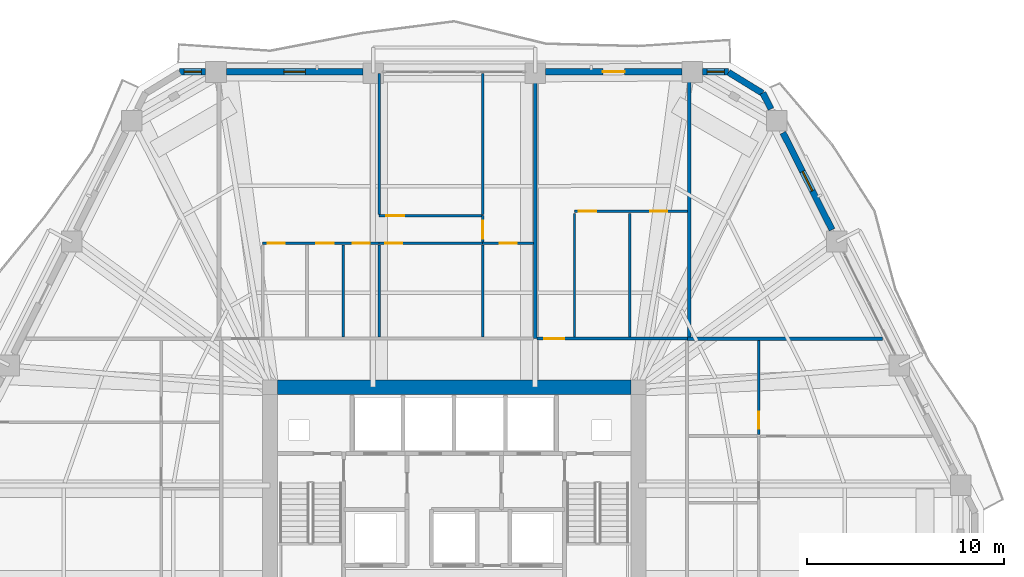
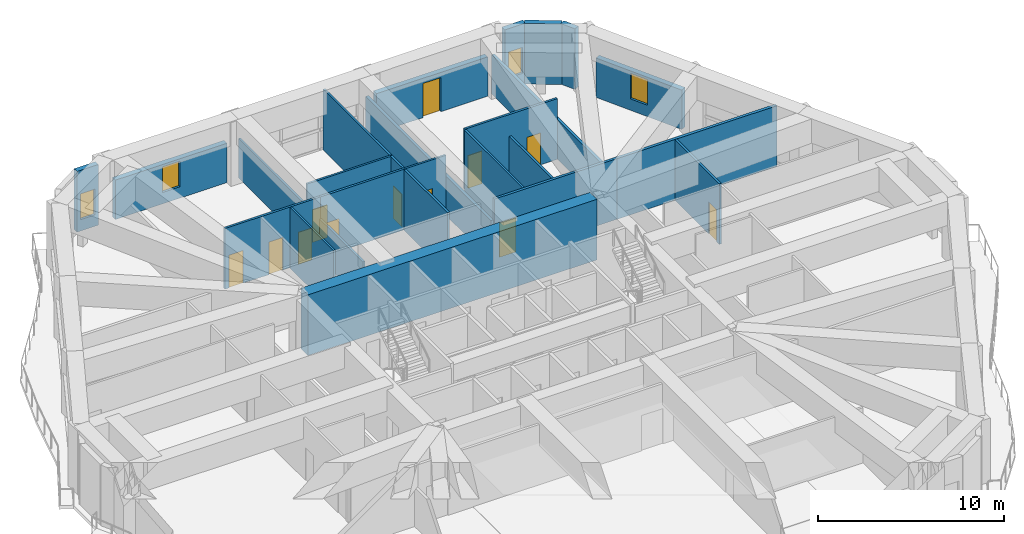
# One storey, part 17 of 23: 26 walls, 12 doors, 4 windows, 16 openings.
"""IFC4 building model written with IfcOpenShell, lengths in metres."""

from ifc_helpers import new_model, si_unit, direction, frame, frame_2d, origin, place, context, subcontext, project, spatial, rectangle, extrude, material, layer, layer_set, type_object, element, fill, save


model = new_model("IFC4")

# Units and contexts
model_context = context("Model", 3, precision=1e-05, world=origin(), true_north=direction((0.0, 1.0)))
body_context = subcontext(model_context, "Body", "Model", "MODEL_VIEW")
ifc_project = project(units=[si_unit("LENGTHUNIT", "METRE"), si_unit("AREAUNIT", "SQUARE_METRE"), si_unit("VOLUMEUNIT", "CUBIC_METRE"), si_unit("PLANEANGLEUNIT", "RADIAN"), si_unit("MASSUNIT", "GRAM", prefix="KILO")], contexts=[model_context])

# Site, building, storey
site_placement = place(None, origin())
site = spatial("IfcSite", under=ifc_project, at=site_placement, CompositionType="ELEMENT")
building_placement = place(site_placement, origin())
building = spatial("IfcBuilding", under=site, at=building_placement, Name="Cinnabar Lancet Tower", CompositionType="ELEMENT")
storey_placement = place(building_placement, frame((0.0, 0.0, 94.199951171875)))
storey = spatial("IfcBuildingStorey", under=building, at=storey_placement, Name="L24", CompositionType="ELEMENT", Elevation=94.199951171875)

# Wall, opening, door
ifc_material_1 = material(Name="Acoustic twin-stud gypsum partition", Category="gypsum")
ifc_layer_1 = layer(ifc_material_1, 0.159912109375)
ifc_layer_set_1 = layer_set([ifc_layer_1], Name="Acoustic twin-stud gypsum partition")
wall_type_1 = type_object("IfcWallType", Name="ARC-WL-CORR-160", PredefinedType="PARTITIONING", material=ifc_layer_set_1)
wall_1_placement = place(storey_placement, frame((36.616943359375, 35.75, 0.0), z_axis=(0.0, 0.0, 1.0), x_axis=(1.0, 0.0, 0.0)))
wall_1 = element("IfcWall", 1, at=wall_1_placement, inside=storey, type_object=wall_type_1, Name="L24 Unit N02 Corridor Wall", PredefinedType="PARTITIONING", context=body_context, shape_type="SweptSolid", body=[
    extrude(rectangle(XDim=7.655029296875, YDim=0.159912109375, at=frame_2d((3.82763671875, 0.0))), origin(), (0.0, 0.0, 1.0), 3.989990234375),
])
opening_1_placement = place(wall_1_placement, frame((0.35498046875, 0.0, 0.0)))
opening_1 = element("IfcOpeningElement", 2, at=opening_1_placement, cuts=wall_1, Name="Opening UD-01", PredefinedType="OPENING", context=body_context, shape_type="SweptSolid", body=[
    extrude(rectangle(XDim=1.02001953125, YDim=2.25, at=frame_2d((0.510009765625, 1.125))), frame((0.0, 0.08984375, 0.0), z_axis=(0.0, -1.0, 0.0), x_axis=(1.0, 0.0, 0.0)), (0.0, 0.0, 1.0), 0.179931640625),
])
ifc_material_2 = material(Name="Solid timber fire-rated apartment entrance door", Category="wood")
door_type_1 = type_object("IfcDoorType", Name="ARC-DR-UNIT", OperationType="NOTDEFINED", PredefinedType="DOOR", material=ifc_material_2)
door_1_placement = place(opening_1_placement, origin())
door_1 = element("IfcDoor", 3, at=door_1_placement, inside=storey, type_object=door_type_1, Name="DR-L24-N02-ENT", OperationType="SINGLE_SWING_RIGHT", OverallHeight=2.25, OverallWidth=1.02001953125, PredefinedType="DOOR", context=body_context, shape_type="SweptSolid", body=[
    extrude(rectangle(XDim=1.02001953125, YDim=2.25, at=frame_2d((0.510009765625, 1.125))), frame((0.0, 0.02490234375, 0.0), z_axis=(0.0, -1.0, 0.0), x_axis=(1.0, 0.0, 0.0)), (0.0, 0.0, 1.0), 0.050048828125),
])
fill(opening_1, door_1)

# Walls
ifc_material_3 = material(Name="Fire-rated twin-frame acoustic drywall", Category="gypsum")
ifc_layer_2 = layer(ifc_material_3, 0.179931640625)
ifc_layer_set_2 = layer_set([ifc_layer_2], Name="Fire-rated twin-frame acoustic drywall")
wall_type_2 = type_object("IfcWallType", Name="ARC-WL-PARTY-180", PredefinedType="PARTITIONING", material=ifc_layer_set_2)
for number, where, z_axis, x_axis, name in (
    (4, (36.52197265625, 35.75, 0.0), (0.0, 0.0, 1.0), (0.0, 1.0, 0.0), "PW-L24-NPTY-365"),
    (5, (44.366943359375, 35.75, 0.0), (0.0, 0.0, 1.0), (0.0, 1.0, 0.0), "PW-L24-NPTY-444"),
):
    element("IfcWall", number, at=place(storey_placement, frame(where, z_axis=z_axis, x_axis=x_axis)), inside=storey, type_object=wall_type_2, Name=name, PredefinedType="PARTITIONING", context=body_context, shape_type="SweptSolid", body=[
        extrude(rectangle(XDim=13.485107421875, YDim=0.179931640625, at=frame_2d((6.74267578125, 0.0))), origin(), (0.0, 0.0, 1.0), 2.590087890625),
    ])
wall_2_placement = place(storey_placement, frame((44.25, 35.75, 0.0), z_axis=(0.0, 0.0, 1.0), x_axis=(1.0, 0.0, 0.0)))
element("IfcWall", 6, at=wall_2_placement, inside=storey, type_object=wall_type_2, Name="PW-L24-ENB", PredefinedType="PARTITIONING", context=body_context, shape_type="SweptSolid", body=[
    extrude(rectangle(XDim=9.947021484375, YDim=0.179931640625, at=frame_2d((4.9736328125, 0.0))), origin(), (0.0, 0.0, 1.0), 3.989990234375),
])

# Wall, opening, door
ifc_material_4 = material(Name="Gypsum plasterboard stud partition", Category="gypsum")
ifc_layer_3 = layer(ifc_material_4, 0.125)
ifc_layer_set_3 = layer_set([ifc_layer_3], Name="Gypsum plasterboard stud partition")
wall_type_3 = type_object("IfcWallType", Name="ARC-WL-UNIT-125", PredefinedType="PARTITIONING", material=ifc_layer_set_3)
wall_3_placement = place(storey_placement, frame((33.85009765625, 40.60498046875, 0.0), z_axis=(0.0, 0.0, 1.0), x_axis=(1.0, 0.0, 0.0)))
wall_3 = element("IfcWall", 7, at=wall_3_placement, inside=storey, type_object=wall_type_3, Name="UW-L24-N01-SP2", PredefinedType="PARTITIONING", context=body_context, shape_type="SweptSolid", body=[
    extrude(rectangle(XDim=2.576904296875, YDim=0.125, at=frame_2d((1.28857421875, 0.0))), origin(), (0.0, 0.0, 1.0), 3.989990234375),
])
opening_2_placement = place(wall_3_placement, frame((0.863037109375, 0.0, 0.0)))
opening_2 = element("IfcOpeningElement", 8, at=opening_2_placement, cuts=wall_3, Name="Opening BD-01", PredefinedType="OPENING", context=body_context, shape_type="SweptSolid", body=[
    extrude(rectangle(XDim=0.860107421875, YDim=2.10009765625, at=frame_2d((0.43017578125, 1.050048828125))), frame((0.0, 0.072509765625, 0.0), z_axis=(0.0, -1.0, 0.0), x_axis=(1.0, 0.0, 0.0)), (0.0, 0.0, 1.0), 0.14501953125),
])
ifc_material_5 = material(Name="Moisture-resistant timber bathroom door", Category="wood")
door_type_2 = type_object("IfcDoorType", Name="ARC-DR-BATH", OperationType="NOTDEFINED", PredefinedType="DOOR", material=ifc_material_5)
door_2_placement = place(opening_2_placement, origin())
door_2 = element("IfcDoor", 9, at=door_2_placement, inside=storey, type_object=door_type_2, Name="DR-L24-N01-ENS", OperationType="SINGLE_SWING_LEFT", OverallHeight=2.10009765625, OverallWidth=0.860107421875, PredefinedType="DOOR", context=body_context, shape_type="SweptSolid", body=[
    extrude(rectangle(XDim=0.860107421875, YDim=2.10009765625, at=frame_2d((0.43017578125, 1.050048828125))), frame((0.0, 0.02490234375, 0.0), z_axis=(0.0, -1.0, 0.0), x_axis=(1.0, 0.0, 0.0)), (0.0, 0.0, 1.0), 0.050048828125),
])
fill(opening_2, door_2)

# Walls
wall_4_placement = place(storey_placement, frame((26.7451171875, 35.8349609375, 0.0), z_axis=(0.0, 0.0, 1.0), x_axis=(0.0, 1.0, 0.0)))
element("IfcWall", 10, at=wall_4_placement, inside=storey, type_object=wall_type_3, Name="UW-L24-N01-STD", PredefinedType="PARTITIONING", context=body_context, shape_type="SweptSolid", body=[
    extrude(rectangle(XDim=4.6650390625, YDim=0.125, at=frame_2d((2.33251953125, 0.0))), origin(), (0.0, 0.0, 1.0), 3.989990234375),
])
wall_5_placement = place(storey_placement, frame((28.5849609375, 42.070068359375, 0.0), z_axis=(0.0, 0.0, 1.0), x_axis=(0.0, 1.0, 0.0)))
element("IfcWall", 11, at=wall_5_placement, inside=storey, type_object=wall_type_3, Name="UW-L24-N01-BD2W", PredefinedType="PARTITIONING", context=body_context, shape_type="SweptSolid", body=[
    extrude(rectangle(XDim=7.1650390625, YDim=0.125, at=frame_2d((3.58251953125, 0.0))), origin(), (0.0, 0.0, 1.0), 2.590087890625),
])

# Wall, opening, door
wall_6_placement = place(storey_placement, frame((28.5849609375, 42.0048828125, 0.0), z_axis=(0.0, 0.0, 1.0), x_axis=(1.0, 0.0, 0.0)))
wall_6 = element("IfcWall", 12, at=wall_6_placement, inside=storey, type_object=wall_type_3, Name="UW-L24-N01-HLN", PredefinedType="PARTITIONING", context=body_context, shape_type="SweptSolid", body=[
    extrude(rectangle(XDim=5.26513671875, YDim=0.125, at=frame_2d((2.632568359375, 0.0))), origin(), (0.0, 0.0, 1.0), 3.989990234375),
])
opening_3_placement = place(wall_6_placement, frame((0.35009765625, 0.0, 0.0)))
opening_3 = element("IfcOpeningElement", 13, at=opening_3_placement, cuts=wall_6, Name="Opening RD-01", PredefinedType="OPENING", context=body_context, shape_type="SweptSolid", body=[
    extrude(rectangle(XDim=0.919921875, YDim=2.14990234375, at=frame_2d((0.4599609375, 1.074951171875))), frame((0.0, 0.072509765625, 0.0), z_axis=(0.0, -1.0, 0.0), x_axis=(1.0, 0.0, 0.0)), (0.0, 0.0, 1.0), 0.14501953125),
])
ifc_material_6 = material(Name="Engineered timber bedroom door", Category="wood")
door_type_3 = type_object("IfcDoorType", Name="ARC-DR-ROOM", OperationType="NOTDEFINED", PredefinedType="DOOR", material=ifc_material_6)
door_3_placement = place(opening_3_placement, origin())
door_3 = element("IfcDoor", 14, at=door_3_placement, inside=storey, type_object=door_type_3, Name="DR-L24-N01-BD2", OperationType="SINGLE_SWING_RIGHT", OverallHeight=2.14990234375, OverallWidth=0.919921875, PredefinedType="DOOR", context=body_context, shape_type="SweptSolid", body=[
    extrude(rectangle(XDim=0.919921875, YDim=2.14990234375, at=frame_2d((0.4599609375, 1.074951171875))), frame((0.0, 0.02490234375, 0.0), z_axis=(0.0, -1.0, 0.0), x_axis=(1.0, 0.0, 0.0)), (0.0, 0.0, 1.0), 0.050048828125),
])
fill(opening_3, door_3)

wall_7_placement = place(storey_placement, frame((33.85009765625, 40.675048828125, 0.0), z_axis=(0.0, 0.0, 1.0), x_axis=(0.0, 1.0, 0.0)))
wall_7 = element("IfcWall", 15, at=wall_7_placement, inside=storey, type_object=wall_type_3, Name="UW-L24-N01-MBE", PredefinedType="PARTITIONING", context=body_context, shape_type="SweptSolid", body=[
    extrude(rectangle(XDim=1.329833984375, YDim=0.125, at=frame_2d((0.6650390625, 0.0))), origin(), (0.0, 0.0, 1.0), 3.989990234375),
])
opening_4_placement = place(wall_7_placement, frame((0.159912109375, 0.0, 0.0)))
opening_4 = element("IfcOpeningElement", 16, at=opening_4_placement, cuts=wall_7, Name="Opening RD-01", PredefinedType="OPENING", context=body_context, shape_type="SweptSolid", body=[
    extrude(rectangle(XDim=0.919921875, YDim=2.14990234375, at=frame_2d((0.4599609375, 1.074951171875))), frame((0.0, 0.072509765625, 0.0), z_axis=(0.0, -1.0, 0.0), x_axis=(1.0, 0.0, 0.0)), (0.0, 0.0, 1.0), 0.14501953125),
])
door_4_placement = place(opening_4_placement, origin())
door_4 = element("IfcDoor", 17, at=door_4_placement, inside=storey, type_object=door_type_3, Name="DR-L24-N01-MBD", OperationType="SINGLE_SWING_RIGHT", OverallHeight=2.14990234375, OverallWidth=0.919921875, PredefinedType="DOOR", context=body_context, shape_type="SweptSolid", body=[
    extrude(rectangle(XDim=0.919921875, YDim=2.14990234375, at=frame_2d((0.4599609375, 1.074951171875))), frame((0.0, 0.02490234375, 0.0), z_axis=(0.0, -1.0, 0.0), x_axis=(1.0, 0.0, 0.0)), (0.0, 0.0, 1.0), 0.050048828125),
])
fill(opening_4, door_4)

# Walls
wall_8_placement = place(storey_placement, frame((33.85009765625, 42.070068359375, 0.0), z_axis=(0.0, 0.0, 1.0), x_axis=(0.0, 1.0, 0.0)))
element("IfcWall", 18, at=wall_8_placement, inside=storey, type_object=wall_type_3, Name="UW-L24-N01-MB2W", PredefinedType="PARTITIONING", context=body_context, shape_type="SweptSolid", body=[
    extrude(rectangle(XDim=7.1650390625, YDim=0.125, at=frame_2d((3.58251953125, 0.0))), origin(), (0.0, 0.0, 1.0), 3.989990234375),
])
wall_9_placement = place(storey_placement, frame((38.52197265625, 35.8349609375, 0.0), z_axis=(0.0, 0.0, 1.0), x_axis=(0.0, 1.0, 0.0)))
element("IfcWall", 19, at=wall_9_placement, inside=storey, type_object=wall_type_3, Name="UW-L24-N02-FOYE", PredefinedType="PARTITIONING", context=body_context, shape_type="SweptSolid", body=[
    extrude(rectangle(XDim=6.282958984375, YDim=0.125, at=frame_2d((3.1416015625, 0.0))), origin(), (0.0, 0.0, 1.0), 3.989990234375),
])

# Wall, openings, doors
ifc_material_7 = material(Name="Moisture-resistant cement-board plumbing wall", Category="masonry")
ifc_layer_4 = layer(ifc_material_7, 0.139892578125)
ifc_layer_set_4 = layer_set([ifc_layer_4], Name="Moisture-resistant cement-board plumbing wall")
wall_type_4 = type_object("IfcWallType", Name="ARC-WL-WET-140", PredefinedType="PLUMBINGWALL", material=ifc_layer_set_4)
wall_10_placement = place(storey_placement, frame((22.64990234375, 40.60498046875, 0.0), z_axis=(0.0, 0.0, 1.0), x_axis=(1.0, 0.0, 0.0)))
wall_10 = element("IfcWall", 20, at=wall_10_placement, inside=storey, type_object=wall_type_4, Name="UW-L24-N01-SPL", PredefinedType="PLUMBINGWALL", context=body_context, shape_type="SweptSolid", body=[
    extrude(rectangle(XDim=5.93505859375, YDim=0.139892578125, at=frame_2d((2.967529296875, 0.0))), origin(), (0.0, 0.0, 1.0), 3.989990234375),
])
opening_5_placement = place(wall_10_placement, frame((4.590087890625, 0.0, 0.0)))
opening_5 = element("IfcOpeningElement", 21, at=opening_5_placement, cuts=wall_10, Name="Opening BD-01", PredefinedType="OPENING", context=body_context, shape_type="SweptSolid", body=[
    extrude(rectangle(XDim=0.860107421875, YDim=2.10009765625, at=frame_2d((0.43017578125, 1.050048828125))), frame((0.0, 0.079833984375, 0.0), z_axis=(0.0, -1.0, 0.0), x_axis=(1.0, 0.0, 0.0)), (0.0, 0.0, 1.0), 0.159912109375),
])
opening_6_placement = place(wall_10_placement, frame((0.260009765625, 0.0, 0.0)))
opening_6 = element("IfcOpeningElement", 22, at=opening_6_placement, cuts=wall_10, Name="Opening RD-02", PredefinedType="OPENING", context=body_context, shape_type="SweptSolid", body=[
    extrude(rectangle(XDim=0.8798828125, YDim=2.14990234375, at=frame_2d((0.43994140625, 1.074951171875))), frame((0.0, 0.079833984375, 0.0), z_axis=(0.0, -1.0, 0.0), x_axis=(1.0, 0.0, 0.0)), (0.0, 0.0, 1.0), 0.159912109375),
])
opening_7_placement = place(wall_10_placement, frame((2.735107421875, 0.0, 0.0)))
opening_7 = element("IfcOpeningElement", 23, at=opening_7_placement, cuts=wall_10, Name="Opening RD-02", PredefinedType="OPENING", context=body_context, shape_type="SweptSolid", body=[
    extrude(rectangle(XDim=0.8798828125, YDim=2.14990234375, at=frame_2d((0.43994140625, 1.074951171875))), frame((0.0, 0.079833984375, 0.0), z_axis=(0.0, -1.0, 0.0), x_axis=(1.0, 0.0, 0.0)), (0.0, 0.0, 1.0), 0.159912109375),
])
door_5_placement = place(opening_5_placement, origin())
door_5 = element("IfcDoor", 24, at=door_5_placement, inside=storey, type_object=door_type_2, Name="DR-L24-N01-BTH", OperationType="SINGLE_SWING_RIGHT", OverallHeight=2.10009765625, OverallWidth=0.860107421875, PredefinedType="DOOR", context=body_context, shape_type="SweptSolid", body=[
    extrude(rectangle(XDim=0.860107421875, YDim=2.10009765625, at=frame_2d((0.43017578125, 1.050048828125))), frame((0.0, 0.02490234375, 0.0), z_axis=(0.0, -1.0, 0.0), x_axis=(1.0, 0.0, 0.0)), (0.0, 0.0, 1.0), 0.050048828125),
])
fill(opening_5, door_5)
ifc_material_8 = material(Name="Engineered timber study door", Category="wood")
door_type_4 = type_object("IfcDoorType", Name="ARC-DR-STUDY", OperationType="NOTDEFINED", PredefinedType="DOOR", material=ifc_material_8)
door_6_placement = place(opening_6_placement, origin())
door_6 = element("IfcDoor", 25, at=door_6_placement, inside=storey, type_object=door_type_4, Name="DR-L24-N01-KIT", OperationType="SINGLE_SWING_RIGHT", OverallHeight=2.14990234375, OverallWidth=0.8798828125, PredefinedType="DOOR", context=body_context, shape_type="SweptSolid", body=[
    extrude(rectangle(XDim=0.8798828125, YDim=2.14990234375, at=frame_2d((0.43994140625, 1.074951171875))), frame((0.0, 0.02490234375, 0.0), z_axis=(0.0, -1.0, 0.0), x_axis=(1.0, 0.0, 0.0)), (0.0, 0.0, 1.0), 0.050048828125),
])
fill(opening_6, door_6)
door_7_placement = place(opening_7_placement, origin())
door_7 = element("IfcDoor", 26, at=door_7_placement, inside=storey, type_object=door_type_4, Name="DR-L24-N01-STD", OperationType="SINGLE_SWING_LEFT", OverallHeight=2.14990234375, OverallWidth=0.8798828125, PredefinedType="DOOR", context=body_context, shape_type="SweptSolid", body=[
    extrude(rectangle(XDim=0.8798828125, YDim=2.14990234375, at=frame_2d((0.43994140625, 1.074951171875))), frame((0.0, 0.02490234375, 0.0), z_axis=(0.0, -1.0, 0.0), x_axis=(1.0, 0.0, 0.0)), (0.0, 0.0, 1.0), 0.050048828125),
])
fill(opening_7, door_7)

# Wall, opening, door
wall_11_placement = place(storey_placement, frame((28.5849609375, 40.60498046875, 0.0), z_axis=(0.0, 0.0, 1.0), x_axis=(1.0, 0.0, 0.0)))
wall_11 = element("IfcWall", 27, at=wall_11_placement, inside=storey, type_object=wall_type_4, Name="UW-L24-N01-SPM", PredefinedType="PLUMBINGWALL", context=body_context, shape_type="SweptSolid", body=[
    extrude(rectangle(XDim=5.26513671875, YDim=0.139892578125, at=frame_2d((2.632568359375, 0.0))), origin(), (0.0, 0.0, 1.0), 3.989990234375),
])
opening_8_placement = place(wall_11_placement, frame((0.300048828125, 0.0, 0.0)))
opening_8 = element("IfcOpeningElement", 28, at=opening_8_placement, cuts=wall_11, Name="Opening RD-02", PredefinedType="OPENING", context=body_context, shape_type="SweptSolid", body=[
    extrude(rectangle(XDim=0.8798828125, YDim=2.14990234375, at=frame_2d((0.43994140625, 1.074951171875))), frame((0.0, 0.079833984375, 0.0), z_axis=(0.0, -1.0, 0.0), x_axis=(1.0, 0.0, 0.0)), (0.0, 0.0, 1.0), 0.159912109375),
])
door_8_placement = place(opening_8_placement, origin())
door_8 = element("IfcDoor", 29, at=door_8_placement, inside=storey, type_object=door_type_4, Name="DR-L24-N01-UTL", OperationType="SINGLE_SWING_LEFT", OverallHeight=2.14990234375, OverallWidth=0.8798828125, PredefinedType="DOOR", context=body_context, shape_type="SweptSolid", body=[
    extrude(rectangle(XDim=0.8798828125, YDim=2.14990234375, at=frame_2d((0.43994140625, 1.074951171875))), frame((0.0, 0.02490234375, 0.0), z_axis=(0.0, -1.0, 0.0), x_axis=(1.0, 0.0, 0.0)), (0.0, 0.0, 1.0), 0.050048828125),
])
fill(opening_8, door_8)

# Walls
wall_12_placement = place(storey_placement, frame((28.5849609375, 35.8349609375, 0.0), z_axis=(0.0, 0.0, 1.0), x_axis=(0.0, 1.0, 0.0)))
element("IfcWall", 30, at=wall_12_placement, inside=storey, type_object=wall_type_4, Name="UW-L24-N01-ENSW", PredefinedType="PLUMBINGWALL", context=body_context, shape_type="SweptSolid", body=[
    extrude(rectangle(XDim=4.6650390625, YDim=0.139892578125, at=frame_2d((2.33251953125, 0.0))), origin(), (0.0, 0.0, 1.0), 2.590087890625),
])
wall_13_placement = place(storey_placement, frame((33.85009765625, 35.8349609375, 0.0), z_axis=(0.0, 0.0, 1.0), x_axis=(0.0, 1.0, 0.0)))
element("IfcWall", 31, at=wall_13_placement, inside=storey, type_object=wall_type_4, Name="UW-L24-N01-ENSE", PredefinedType="PLUMBINGWALL", context=body_context, shape_type="SweptSolid", body=[
    extrude(rectangle(XDim=4.6650390625, YDim=0.139892578125, at=frame_2d((2.33251953125, 0.0))), origin(), (0.0, 0.0, 1.0), 3.989990234375),
])

# Wall, openings, doors
wall_14_placement = place(storey_placement, frame((38.52197265625, 42.222900390625, 0.0), z_axis=(0.0, 0.0, 1.0), x_axis=(1.0, 0.0, 0.0)))
wall_14 = element("IfcWall", 32, at=wall_14_placement, inside=storey, type_object=wall_type_4, Name="UW-L24-N02-SPL", PredefinedType="PLUMBINGWALL", context=body_context, shape_type="SweptSolid", body=[
    extrude(rectangle(XDim=5.75, YDim=0.139892578125, at=frame_2d((2.875, 0.0))), origin(), (0.0, 0.0, 1.0), 3.989990234375),
])
opening_9_placement = place(wall_14_placement, frame((3.85302734375, 0.0, 0.0)))
opening_9 = element("IfcOpeningElement", 33, at=opening_9_placement, cuts=wall_14, Name="Opening BD-01", PredefinedType="OPENING", context=body_context, shape_type="SweptSolid", body=[
    extrude(rectangle(XDim=0.860107421875, YDim=2.10009765625, at=frame_2d((0.43017578125, 1.050048828125))), frame((0.0, 0.079833984375, 0.0), z_axis=(0.0, -1.0, 0.0), x_axis=(1.0, 0.0, 0.0)), (0.0, 0.0, 1.0), 0.159912109375),
])
opening_10_placement = place(wall_14_placement, frame((0.219970703125, 0.0, 0.0)))
opening_10 = element("IfcOpeningElement", 34, at=opening_10_placement, cuts=wall_14, Name="Opening RD-02", PredefinedType="OPENING", context=body_context, shape_type="SweptSolid", body=[
    extrude(rectangle(XDim=0.8798828125, YDim=2.14990234375, at=frame_2d((0.43994140625, 1.074951171875))), frame((0.0, 0.079833984375, 0.0), z_axis=(0.0, -1.0, 0.0), x_axis=(1.0, 0.0, 0.0)), (0.0, 0.0, 1.0), 0.159912109375),
])
door_9_placement = place(opening_9_placement, origin())
door_9 = element("IfcDoor", 35, at=door_9_placement, inside=storey, type_object=door_type_2, Name="DR-L24-N02-BTH", OperationType="SINGLE_SWING_RIGHT", OverallHeight=2.10009765625, OverallWidth=0.860107421875, PredefinedType="DOOR", context=body_context, shape_type="SweptSolid", body=[
    extrude(rectangle(XDim=0.860107421875, YDim=2.10009765625, at=frame_2d((0.43017578125, 1.050048828125))), frame((0.0, 0.02490234375, 0.0), z_axis=(0.0, -1.0, 0.0), x_axis=(1.0, 0.0, 0.0)), (0.0, 0.0, 1.0), 0.050048828125),
])
fill(opening_9, door_9)
door_10_placement = place(opening_10_placement, origin())
door_10 = element("IfcDoor", 36, at=door_10_placement, inside=storey, type_object=door_type_4, Name="DR-L24-N02-KIT", OperationType="SINGLE_SWING_LEFT", OverallHeight=2.14990234375, OverallWidth=0.8798828125, PredefinedType="DOOR", context=body_context, shape_type="SweptSolid", body=[
    extrude(rectangle(XDim=0.8798828125, YDim=2.14990234375, at=frame_2d((0.43994140625, 1.074951171875))), frame((0.0, 0.02490234375, 0.0), z_axis=(0.0, -1.0, 0.0), x_axis=(1.0, 0.0, 0.0)), (0.0, 0.0, 1.0), 0.050048828125),
])
fill(opening_10, door_10)

# Wall
wall_15_placement = place(storey_placement, frame((41.327880859375, 35.8349609375, 0.0), z_axis=(0.0, 0.0, 1.0), x_axis=(0.0, 1.0, 0.0)))
element("IfcWall", 37, at=wall_15_placement, inside=storey, type_object=wall_type_4, Name="UW-L24-N02-KDV", PredefinedType="PLUMBINGWALL", context=body_context, shape_type="SweptSolid", body=[
    extrude(rectangle(XDim=6.282958984375, YDim=0.139892578125, at=frame_2d((3.1416015625, 0.0))), origin(), (0.0, 0.0, 1.0), 2.590087890625),
])

# Wall, opening, door
wall_16_placement = place(storey_placement, frame((47.89990234375, 30.85888671875, 0.0), z_axis=(0.0, 0.0, 1.0), x_axis=(0.0, 1.0, 0.0)))
wall_16 = element("IfcWall", 38, at=wall_16_placement, inside=storey, type_object=wall_type_4, Name="UW-L24-E01-SPM", PredefinedType="PLUMBINGWALL", context=body_context, shape_type="SweptSolid", body=[
    extrude(rectangle(XDim=4.796142578125, YDim=0.139892578125, at=frame_2d((2.39794921875, 0.0))), origin(), (0.0, 0.0, 1.0), 3.989990234375),
])
opening_11_placement = place(wall_16_placement, frame((0.300048828125, 0.0, 0.0)))
opening_11 = element("IfcOpeningElement", 39, at=opening_11_placement, cuts=wall_16, Name="Opening BD-01", PredefinedType="OPENING", context=body_context, shape_type="SweptSolid", body=[
    extrude(rectangle(XDim=0.860107421875, YDim=2.10009765625, at=frame_2d((0.43017578125, 1.050048828125))), frame((0.0, 0.079833984375, 0.0), z_axis=(0.0, -1.0, 0.0), x_axis=(1.0, 0.0, 0.0)), (0.0, 0.0, 1.0), 0.159912109375),
])
door_11_placement = place(opening_11_placement, origin())
door_11 = element("IfcDoor", 40, at=door_11_placement, inside=storey, type_object=door_type_2, Name="DR-L24-E01-ENS", OperationType="SINGLE_SWING_RIGHT", OverallHeight=2.10009765625, OverallWidth=0.860107421875, PredefinedType="DOOR", context=body_context, shape_type="SweptSolid", body=[
    extrude(rectangle(XDim=0.860107421875, YDim=2.10009765625, at=frame_2d((0.43017578125, 1.050048828125))), frame((0.0, 0.02490234375, 0.0), z_axis=(0.0, -1.0, 0.0), x_axis=(1.0, 0.0, 0.0)), (0.0, 0.0, 1.0), 0.050048828125),
])
fill(opening_11, door_11)

# Wall
ifc_material_9 = material(Name="Warm buff clay brick", Category="masonry")
ifc_layer_5 = layer(ifc_material_9, 0.320068359375)
ifc_layer_set_5 = layer_set([ifc_layer_5], Name="Warm buff clay brick")
wall_type_5 = type_object("IfcWallType", Name="ENV-WL-BRK-BUF-320", PredefinedType="STANDARD", material=ifc_layer_set_5)
wall_17_placement = place(storey_placement, frame((48.08203125, 48.237060546875, 0.0), z_axis=(0.0, 0.0, 1.0), x_axis=(-0.852002143338, 0.523538296353, 0.0)))
element("IfcWall", 41, at=wall_17_placement, inside=storey, type_object=wall_type_5, Name="L24 Chamfered Corner Brick Pier 4.1", PredefinedType="STANDARD", context=body_context, shape_type="SweptSolid", body=[
    extrude(rectangle(XDim=2.0224609375, YDim=0.320068359375, at=frame_2d((1.01123046875, 0.0))), origin(), (0.0, 0.0, 1.0), 3.989990234375),
])

# Wall, opening, window
wall_18_placement = place(storey_placement, frame((51.623046875, 41.2919921875, 0.0), z_axis=(0.0, 0.0, 1.0), x_axis=(-0.451552549164, 0.892244526654, 0.0)))
wall_18 = element("IfcWall", 42, at=wall_18_placement, inside=storey, type_object=wall_type_5, Name="L24 Face 3 Masonry Bay Wall 4", PredefinedType="STANDARD", context=body_context, shape_type="SweptSolid", body=[
    extrude(rectangle(XDim=5.530029296875, YDim=0.320068359375, at=frame_2d((2.76513671875, 0.0))), origin(), (0.0, 0.0, 1.0), 2.590087890625),
])
opening_12_placement = place(wall_18_placement, frame((2.215087890625, 0.0, 0.75)))
opening_12 = element("IfcOpeningElement", 43, at=opening_12_placement, cuts=wall_18, Name="Opening WN-04", PredefinedType="OPENING", context=body_context, shape_type="SweptSolid", body=[
    extrude(rectangle(XDim=1.10009765625, YDim=1.68994140625, at=frame_2d((0.550048828125, 0.844970703125))), frame((0.0, 0.169921875, 0.0), z_axis=(0.0, -1.0, 0.0), x_axis=(1.0, 0.0, 0.0)), (0.0, 0.0, 1.0), 0.340087890625),
])
ifc_material_10 = material(Name="Thermally broken bronze-anodized aluminium tall lancet window", Category="aluminium")
window_type = type_object("IfcWindowType", Name="ENV-WN-LANCET-1100", PartitioningType="SINGLE_PANEL", PredefinedType="WINDOW", material=ifc_material_10)
window_1_placement = place(opening_12_placement, origin())
window_1 = element("IfcWindow", 44, at=window_1_placement, inside=storey, type_object=window_type, Name="L24 Face 3 Gothic Lancet Window 4", OverallHeight=1.68994140625, OverallWidth=1.10009765625, PartitioningType="SINGLE_PANEL", PredefinedType="WINDOW", context=body_context, shape_type="SweptSolid", body=[
    extrude(rectangle(XDim=1.10009765625, YDim=1.68994140625, at=frame_2d((0.550048828125, 0.844970703125))), frame((0.0, 0.030029296875, 0.0), z_axis=(0.0, -1.0, 0.0), x_axis=(1.0, 0.0, 0.0)), (0.0, 0.0, 1.0), 0.06005859375),
])
fill(opening_12, window_1)

# Wall
wall_19_placement = place(storey_placement, frame((48.51806640625, 47.427978515625, 0.0), z_axis=(0.0, 0.0, 1.0), x_axis=(-0.45154400974, 0.892248848286, 0.0)))
element("IfcWall", 45, at=wall_19_placement, inside=storey, type_object=wall_type_5, Name="L24 Face 3 Masonry Bay Wall 5", PredefinedType="STANDARD", context=body_context, shape_type="SweptSolid", body=[
    extrude(rectangle(XDim=0.923583984375, YDim=0.320068359375, at=frame_2d((0.4619140625, 0.0))), origin(), (0.0, 0.0, 1.0), 3.989990234375),
])

# Wall, opening, window
wall_20_placement = place(storey_placement, frame((46.364013671875, 49.320068359375, 0.0), z_axis=(0.0, 0.0, 1.0), x_axis=(-1.0, 0.0, 0.0)))
wall_20 = element("IfcWall", 46, at=wall_20_placement, inside=storey, type_object=wall_type_5, Name="L24 Face 4 Masonry Bay Wall 1", PredefinedType="STANDARD", context=body_context, shape_type="SweptSolid", body=[
    extrude(rectangle(XDim=1.318115234375, YDim=0.320068359375, at=frame_2d((0.6591796875, 0.0))), origin(), (0.0, 0.0, 1.0), 3.989990234375),
])
opening_13_placement = place(wall_20_placement, frame((0.219970703125, 0.0, 0.75)))
opening_13 = element("IfcOpeningElement", 47, at=opening_13_placement, cuts=wall_20, Name="Opening WN-04", PredefinedType="OPENING", context=body_context, shape_type="SweptSolid", body=[
    extrude(rectangle(XDim=0.8779296875, YDim=1.699951171875, at=frame_2d((0.43896484375, 0.85009765625))), frame((0.0, 0.169921875, 0.0), z_axis=(0.0, -1.0, 0.0), x_axis=(1.0, 0.0, 0.0)), (0.0, 0.0, 1.0), 0.340087890625),
])
window_2_placement = place(opening_13_placement, origin())
window_2 = element("IfcWindow", 48, at=window_2_placement, inside=storey, type_object=window_type, Name="L24 Split-Bay Gothic Lancet Window 81", OverallHeight=1.699951171875, OverallWidth=0.8779296875, PartitioningType="SINGLE_PANEL", PredefinedType="WINDOW", context=body_context, shape_type="SweptSolid", body=[
    extrude(rectangle(XDim=0.8779296875, YDim=1.699951171875, at=frame_2d((0.43896484375, 0.85009765625))), frame((0.0, 0.030029296875, 0.0), z_axis=(0.0, -1.0, 0.0), x_axis=(1.0, 0.0, 0.0)), (0.0, 0.0, 1.0), 0.06005859375),
])
fill(opening_13, window_2)

# Wall, opening, door
wall_21_placement = place(storey_placement, frame((43.988037109375, 49.320068359375, 0.0), z_axis=(0.0, 0.0, 1.0), x_axis=(-1.0, 0.0, 0.0)))
wall_21 = element("IfcWall", 49, at=wall_21_placement, inside=storey, type_object=wall_type_5, Name="L24 Face 4 Masonry Bay Wall 2", PredefinedType="STANDARD", context=body_context, shape_type="SweptSolid", body=[
    extrude(rectangle(XDim=6.93701171875, YDim=0.320068359375, at=frame_2d((3.468505859375, 0.0))), origin(), (0.0, 0.0, 1.0), 2.590087890625),
])
opening_14_placement = place(wall_21_placement, frame((2.91796875, 0.0, 0.0)))
opening_14 = element("IfcOpeningElement", 50, at=opening_14_placement, cuts=wall_21, Name="Opening TD-01", PredefinedType="OPENING", context=body_context, shape_type="SweptSolid", body=[
    extrude(rectangle(XDim=1.10009765625, YDim=2.25, at=frame_2d((0.550048828125, 1.125))), frame((0.0, 0.169921875, 0.0), z_axis=(0.0, -1.0, 0.0), x_axis=(1.0, 0.0, 0.0)), (0.0, 0.0, 1.0), 0.340087890625),
])
ifc_material_11 = material(Name="Thermally broken low-E glazed balcony terrace door", Category="wood")
door_type_5 = type_object("IfcDoorType", Name="ARC-DR-BALC", OperationType="NOTDEFINED", PredefinedType="DOOR", material=ifc_material_11)
door_12_placement = place(opening_14_placement, origin())
door_12 = element("IfcDoor", 51, at=door_12_placement, inside=storey, type_object=door_type_5, Name="L24 Face 4 Glazed Terrace Door", OperationType="SINGLE_SWING_RIGHT", OverallHeight=2.25, OverallWidth=1.10009765625, PredefinedType="DOOR", context=body_context, shape_type="SweptSolid", body=[
    extrude(rectangle(XDim=1.10009765625, YDim=2.25, at=frame_2d((0.550048828125, 1.125))), frame((0.0, 0.02490234375, 0.0), z_axis=(0.0, -1.0, 0.0), x_axis=(1.0, 0.0, 0.0)), (0.0, 0.0, 1.0), 0.050048828125),
])
fill(opening_14, door_12)

# Wall, opening, window
wall_22_placement = place(storey_placement, frame((27.7490234375, 49.320068359375, 0.0), z_axis=(0.0, 0.0, 1.0), x_axis=(-1.0, 0.0, 0.0)))
wall_22 = element("IfcWall", 52, at=wall_22_placement, inside=storey, type_object=wall_type_5, Name="L24 Face 4 Masonry Bay Wall 4", PredefinedType="STANDARD", context=body_context, shape_type="SweptSolid", body=[
    extrude(rectangle(XDim=6.93701171875, YDim=0.320068359375, at=frame_2d((3.468505859375, 0.0))), origin(), (0.0, 0.0, 1.0), 2.590087890625),
])
opening_15_placement = place(wall_22_placement, frame((2.91796875, 0.0, 0.75)))
opening_15 = element("IfcOpeningElement", 53, at=opening_15_placement, cuts=wall_22, Name="Opening WN-04", PredefinedType="OPENING", context=body_context, shape_type="SweptSolid", body=[
    extrude(rectangle(XDim=1.10009765625, YDim=1.68994140625, at=frame_2d((0.550048828125, 0.844970703125))), frame((0.0, 0.169921875, 0.0), z_axis=(0.0, -1.0, 0.0), x_axis=(1.0, 0.0, 0.0)), (0.0, 0.0, 1.0), 0.340087890625),
])
window_3_placement = place(opening_15_placement, origin())
window_3 = element("IfcWindow", 54, at=window_3_placement, inside=storey, type_object=window_type, Name="L24 Face 4 Gothic Lancet Window 4", OverallHeight=1.68994140625, OverallWidth=1.10009765625, PartitioningType="SINGLE_PANEL", PredefinedType="WINDOW", context=body_context, shape_type="SweptSolid", body=[
    extrude(rectangle(XDim=1.10009765625, YDim=1.68994140625, at=frame_2d((0.550048828125, 0.844970703125))), frame((0.0, 0.030029296875, 0.0), z_axis=(0.0, -1.0, 0.0), x_axis=(1.0, 0.0, 0.0)), (0.0, 0.0, 1.0), 0.06005859375),
])
fill(opening_15, window_3)

wall_23_placement = place(storey_placement, frame((19.75390625, 49.320068359375, 0.0), z_axis=(0.0, 0.0, 1.0), x_axis=(-1.0, 0.0, 0.0)))
wall_23 = element("IfcWall", 55, at=wall_23_placement, inside=storey, type_object=wall_type_5, Name="L24 Face 4 Masonry Bay Wall 5", PredefinedType="STANDARD", context=body_context, shape_type="SweptSolid", body=[
    extrude(rectangle(XDim=1.31787109375, YDim=0.320068359375, at=frame_2d((0.658935546875, 0.0))), origin(), (0.0, 0.0, 1.0), 3.989990234375),
])
opening_16_placement = place(wall_23_placement, frame((0.219970703125, 0.0, 0.75)))
opening_16 = element("IfcOpeningElement", 56, at=opening_16_placement, cuts=wall_23, Name="Opening WN-04", PredefinedType="OPENING", context=body_context, shape_type="SweptSolid", body=[
    extrude(rectangle(XDim=0.8779296875, YDim=1.699951171875, at=frame_2d((0.43896484375, 0.85009765625))), frame((0.0, 0.169921875, 0.0), z_axis=(0.0, -1.0, 0.0), x_axis=(1.0, 0.0, 0.0)), (0.0, 0.0, 1.0), 0.340087890625),
])
window_4_placement = place(opening_16_placement, origin())
window_4 = element("IfcWindow", 57, at=window_4_placement, inside=storey, type_object=window_type, Name="L24 Split-Bay Gothic Lancet Window 82", OverallHeight=1.699951171875, OverallWidth=0.8779296875, PartitioningType="SINGLE_PANEL", PredefinedType="WINDOW", context=body_context, shape_type="SweptSolid", body=[
    extrude(rectangle(XDim=0.8779296875, YDim=1.699951171875, at=frame_2d((0.43896484375, 0.85009765625))), frame((0.0, 0.030029296875, 0.0), z_axis=(0.0, -1.0, 0.0), x_axis=(1.0, 0.0, 0.0)), (0.0, 0.0, 1.0), 0.06005859375),
])
fill(opening_16, window_4)

# Wall
ifc_material_12 = material(Name="Concrete C70/85", Category="concrete")
ifc_layer_6 = layer(ifc_material_12, 0.75)
ifc_layer_set_6 = layer_set([ifc_layer_6], Name="Concrete C70/85")
wall_type_6 = type_object("IfcWallType", Name="STR-WL-CORE-750", PredefinedType="SHEAR", material=ifc_layer_set_6)
wall_24_placement = place(storey_placement, frame((23.39990234375, 33.27490234375, 0.0), z_axis=(0.0, 0.0, 1.0), x_axis=(1.0, 0.0, 0.0)))
element("IfcWall", 58, at=wall_24_placement, inside=storey, type_object=wall_type_6, Name="L24 Core Shear Wall N", PredefinedType="SHEAR", context=body_context, shape_type="SweptSolid", body=[
    extrude(rectangle(XDim=18.0, YDim=0.75, at=frame_2d((9.0, 0.0))), origin(), (0.0, 0.0, 1.0), 3.989990234375),
])

save(model, "model.ifc")
